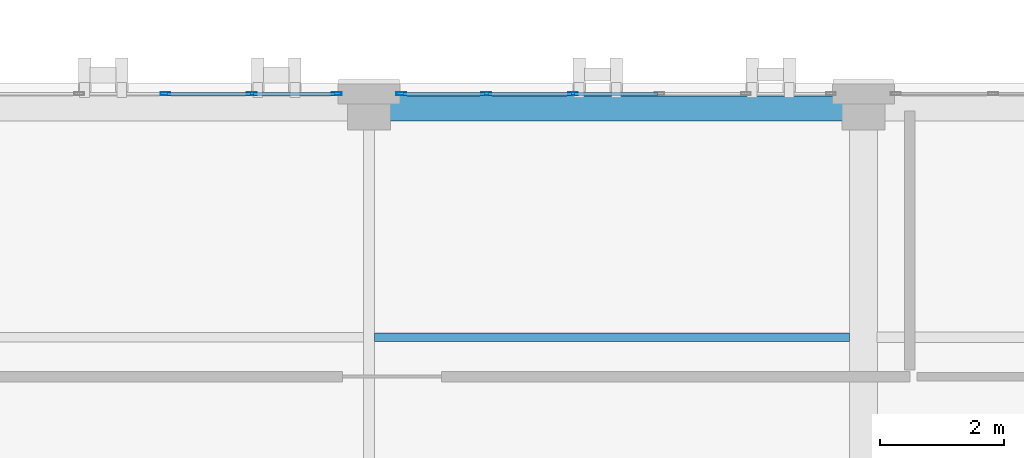
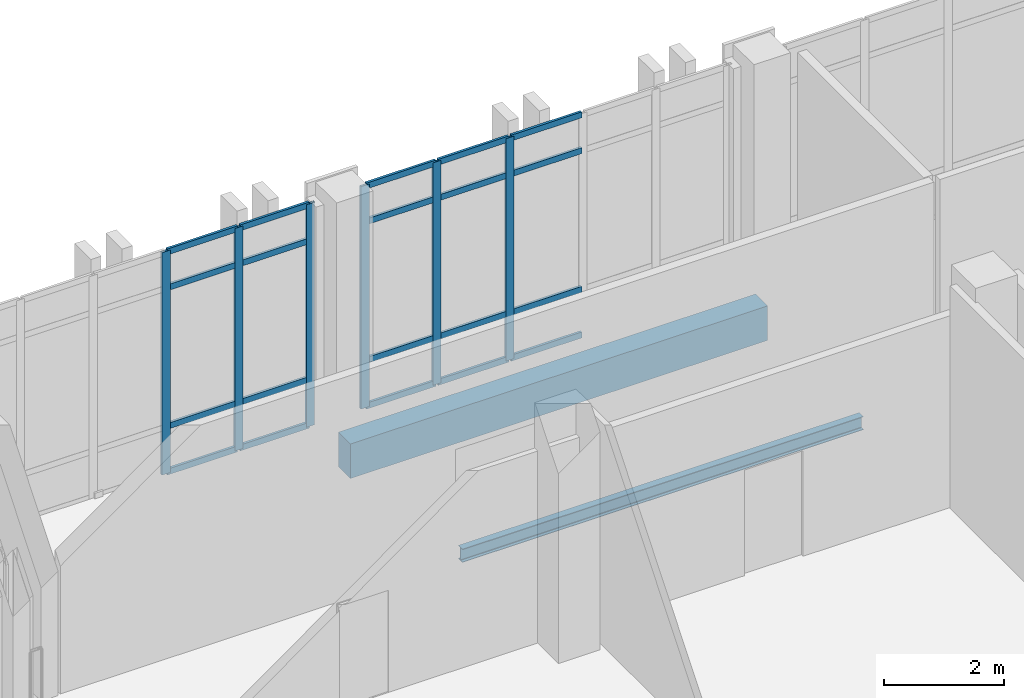
# One storey, part 51 of 189: 26 members, 2 beams, 2 elements without a shape of their own.
"""IFC4 building model written with IfcOpenShell, lengths in metres."""

import ifcopenshell
import ifcopenshell.guid

model = None  # the IFC model being written
_history = None  # IfcOwnerHistory: only IFC2X3 demands one
_inside = {}  # id of a spatial element -> (the spatial element, [elements in it])
_under = {}  # id of a project, library or spatial element -> (it, [spatial elements below it])
_declared = {}  # id of a project -> (the project, [libraries it declares])
_typed = {}  # id of a type object -> (the type object, [elements of that type])
_made_of = {}  # id of a material, layer set ... -> (it, [elements and type objects made of it])


def new_model(schema):
    """Start an empty IFC model of exactly this schema.

    Asked for "IFC4X3", IfcOpenShell would pick the latest addendum, in which some entities
    have other attributes; the version numbers below select the first issue.
    IFC2X3 requires an IfcOwnerHistory on every rooted entity: one is made here for all.
    """
    global model, _history
    if schema == "IFC4X3":
        model = ifcopenshell.file(schema_version=(4, 3, 0, 0))
    else:
        model = ifcopenshell.file(schema=schema)
    _inside.clear()
    _under.clear()
    _declared.clear()
    _typed.clear()
    _made_of.clear()
    _history = None
    if model.schema == "IFC2X3":
        org = make("IfcOrganization", Name="unknown")
        user = make(
            "IfcPersonAndOrganization",
            ThePerson=make("IfcPerson", FamilyName="unknown"),
            TheOrganization=org,
        )
        app = make(
            "IfcApplication",
            ApplicationDeveloper=org,
            Version="unknown",
            ApplicationFullName="unknown",
            ApplicationIdentifier="unknown",
        )
        _history = make(
            "IfcOwnerHistory",
            OwningUser=user,
            OwningApplication=app,
            ChangeAction="ADDED",
            CreationDate=0,
        )
    return model


def make(cls, **values):
    """One entity of the class cls with the attributes given. An attribute that is None is left unset."""
    return model.create_entity(
        cls, **{name: value for name, value in values.items() if value is not None}
    )


def rooted(cls, **values):
    """An entity with a GlobalId (a new one), such as an element, a storey or a relation."""
    return make(cls, GlobalId=ifcopenshell.guid.new(), OwnerHistory=_history, **values)


def si_unit(unit_type, name, prefix=None):
    """IfcSIUnit, for example si_unit("LENGTHUNIT", "METRE", prefix="MILLI")."""
    return make("IfcSIUnit", UnitType=unit_type, Prefix=prefix, Name=name)


def assignment(units):
    """IfcUnitAssignment: the units of a project."""
    return None if units is None else make("IfcUnitAssignment", Units=units)


def point(xyz):
    """IfcCartesianPoint."""
    return None if xyz is None else make("IfcCartesianPoint", Coordinates=xyz)


def direction(xyz):
    """IfcDirection."""
    return None if xyz is None else make("IfcDirection", DirectionRatios=xyz)


def frame(location, z_axis=None, x_axis=None):
    """IfcAxis2Placement3D, a coordinate frame: its origin and axes. An axis left out is left unset."""
    return make(
        "IfcAxis2Placement3D",
        Location=point(location),
        Axis=direction(z_axis),
        RefDirection=direction(x_axis),
    )


def frame_2d(location, x_axis=None):
    """IfcAxis2Placement2D, a coordinate frame in the plane: its origin and x axis."""
    return make(
        "IfcAxis2Placement2D", Location=point(location), RefDirection=direction(x_axis)
    )


def origin():
    """The frame at (0, 0, 0) with its axes left unset."""
    return frame((0.0, 0.0, 0.0))


def origin_2d():
    """The frame at (0, 0) in the plane with its x axis left unset."""
    return frame_2d((0.0, 0.0))


def place(relative_to, where):
    """IfcLocalPlacement: puts the frame where relative to a parent placement (None: the world)."""
    return make(
        "IfcLocalPlacement", PlacementRelTo=relative_to, RelativePlacement=where
    )


def context(
    kind, dimensions, precision=None, world=None, true_north=None, identifier=None
):
    """IfcGeometricRepresentationContext, for example the 3D "Model" context."""
    return make(
        "IfcGeometricRepresentationContext",
        ContextIdentifier=identifier,
        ContextType=kind,
        CoordinateSpaceDimension=dimensions,
        Precision=precision,
        WorldCoordinateSystem=world,
        TrueNorth=true_north,
    )


def subcontext(parent, identifier, kind, view, scale=None):
    """IfcGeometricRepresentationSubContext, for example "Body" below "Model"."""
    return make(
        "IfcGeometricRepresentationSubContext",
        ContextIdentifier=identifier,
        ContextType=kind,
        ParentContext=parent,
        TargetScale=scale,
        TargetView=view,
    )


def project(units=None, contexts=None):
    """IfcProject with its units and contexts."""
    return rooted(
        "IfcProject",
        Name="project",
        RepresentationContexts=contexts,
        UnitsInContext=assignment(units),
    )


def spatial(cls, under=None, at=None, **own):
    """A site, building, storey or space (cls), placed at a placement, below another one or the project."""
    s = rooted(cls, ObjectPlacement=at, **own)
    if under is not None:
        _under.setdefault(under.id(), (under, []))[1].append(s)
    return s


def profile(cls, at=None, kind="AREA", **sizes):
    """A parametric profile (cls). Its sizes go by their IFC names, for example OverallWidth=200.0."""
    return make(cls, ProfileType=kind, Position=at, **sizes)


def rectangle(**sizes):
    """IfcRectangleProfileDef."""
    return profile("IfcRectangleProfileDef", **sizes)


def hollow_rectangle(**sizes):
    """IfcRectangleHollowProfileDef."""
    return profile("IfcRectangleHollowProfileDef", **sizes)


def i_section(**sizes):
    """IfcIShapeProfileDef."""
    return profile("IfcIShapeProfileDef", **sizes)


def extrude(swept, where, along, depth):
    """IfcExtrudedAreaSolid: the profile swept, set in the frame where, extruded along a direction by depth."""
    return make(
        "IfcExtrudedAreaSolid",
        SweptArea=swept,
        Position=where,
        ExtrudedDirection=direction(along),
        Depth=depth,
    )


def shape(context_of_items, identifier, shape_type, items):
    """IfcShapeRepresentation: the items that make up one representation, for example the "Body"."""
    return make(
        "IfcShapeRepresentation",
        ContextOfItems=context_of_items,
        RepresentationIdentifier=identifier,
        RepresentationType=shape_type,
        Items=items,
    )


def material(Name=None, Category=None):
    """IfcMaterial."""
    return make("IfcMaterial", Name=Name, Category=Category)


def layer(
    of_material, thickness, ventilated=None, Name=None, Category=None, Priority=None
):
    """IfcMaterialLayer: one layer of a wall or slab, of a material (None: an air gap)."""
    return make(
        "IfcMaterialLayer",
        Material=of_material,
        LayerThickness=thickness,
        IsVentilated=ventilated,
        Name=Name,
        Category=Category,
        Priority=Priority,
    )


def layer_set(layers, Name=None):
    """IfcMaterialLayerSet."""
    return make("IfcMaterialLayerSet", MaterialLayers=layers, LayerSetName=Name)


def material_profile(
    of_material, cross_section, Name=None, Category=None, Priority=None
):
    """IfcMaterialProfile: a cross section and its material."""
    return make(
        "IfcMaterialProfile",
        Name=Name,
        Material=of_material,
        Profile=cross_section,
        Priority=Priority,
        Category=Category,
    )


def profile_set(profiles, Name=None, composite=None):
    """IfcMaterialProfileSet."""
    return make(
        "IfcMaterialProfileSet",
        Name=Name,
        MaterialProfiles=profiles,
        CompositeProfile=composite,
    )


def made_of(thing, what):
    """Note that an element or type object is made of a material, layer set ...; save() writes the relation."""
    if what is not None:
        _made_of.setdefault(what.id(), (what, []))[1].append(thing)
    return thing


def type_object(cls, material=None, **own):
    """A type object (cls), such as IfcWallType, which elements share."""
    return made_of(rooted(cls, **own), material)


def element(
    cls,
    number,
    at=None,
    inside=None,
    cuts=None,
    type_object=None,
    material=None,
    context=None,
    identifier="Body",
    shape_type=None,
    held_by="IfcProductDefinitionShape",
    body=None,
    shapes=None,
    **own,
):
    """One element of the class cls, such as IfcWall. Its Tag is "e" and its number.

    at: its placement. inside: the storey or other place that contains it. cuts: it is an
    opening in that element (IfcRelVoidsElement). A single representation is given by context,
    identifier, shape_type and body (its items); several are given by shapes. held_by: the class
    of the entity that holds the representations. save() writes the other relations.
    """
    e = rooted(cls, Tag="e%d" % number, ObjectPlacement=at, **own)
    if body is not None:
        shapes = [shape(context, identifier, shape_type, body)]
    if shapes is not None:
        e.Representation = make(held_by, Representations=shapes)
    if inside is not None:
        _inside.setdefault(inside.id(), (inside, []))[1].append(e)
    if cuts is not None:
        rooted(
            "IfcRelVoidsElement", RelatingBuildingElement=cuts, RelatedOpeningElement=e
        )
    if type_object is not None:
        _typed.setdefault(type_object.id(), (type_object, []))[1].append(e)
    return made_of(e, material)


def aggregate(whole, parts):
    """IfcRelAggregates: a whole, such as a stair, and the parts it consists of."""
    return rooted("IfcRelAggregates", RelatingObject=whole, RelatedObjects=parts)


def save(model, path):
    """Write the relations noted so far, then the file.

    IfcRelAggregates (storeys below a building ...), IfcRelContainedInSpatialStructure (elements
    in a storey), IfcRelDefinesByType, IfcRelAssociatesMaterial and IfcRelDeclares: one each for
    every whole, place, type object, material and project.
    """
    for whole, parts in _under.values():
        aggregate(whole, parts)
    for where, things in _inside.values():
        rooted(
            "IfcRelContainedInSpatialStructure",
            RelatedElements=things,
            RelatingStructure=where,
        )
    for kind, things in _typed.values():
        rooted("IfcRelDefinesByType", RelatedObjects=things, RelatingType=kind)
    for what, things in _made_of.values():
        rooted("IfcRelAssociatesMaterial", RelatedObjects=things, RelatingMaterial=what)
    for by, libraries in _declared.values():
        rooted("IfcRelDeclares", RelatingContext=by, RelatedDefinitions=libraries)
    model.write(path)


model = new_model("IFC4")

# Units and contexts
model_context = context("Model", 3, precision=1e-05, world=origin(), true_north=direction((0.0, 1.0)))
body_context = subcontext(model_context, "Body", "Model", "MODEL_VIEW")
ifc_project = project(units=[si_unit("LENGTHUNIT", "METRE"), si_unit("AREAUNIT", "SQUARE_METRE"), si_unit("VOLUMEUNIT", "CUBIC_METRE"), si_unit("PLANEANGLEUNIT", "RADIAN"), si_unit("MASSUNIT", "GRAM", prefix="KILO")], contexts=[model_context])

# Site, building, storey
site_placement = place(None, origin())
site = spatial("IfcSite", under=ifc_project, at=site_placement, CompositionType="ELEMENT")
building_placement = place(site_placement, origin())
building = spatial("IfcBuilding", under=site, at=building_placement, Name="Qalavern Law Courts", CompositionType="ELEMENT")
storey_placement = place(building_placement, frame((0.0, 0.0, 5.39990234375)))
storey = spatial("IfcBuildingStorey", under=building, at=storey_placement, Name="L01", CompositionType="ELEMENT", Elevation=5.39990234375)

# Curtain wall, members
ifc_material_1 = material(Name="Anodised aluminium and insulated glazing", Category="aluminium")
ifc_layer = layer(ifc_material_1, 0.172119140625)
ifc_layer_set = layer_set([ifc_layer], Name="Anodised aluminium and insulated glazing")
curtain_wall_type = type_object("IfcCurtainWallType", Name="ENV-CW-COURT", PredefinedType="USERDEFINED", material=ifc_layer_set)
curtain_wall_1_placement = place(storey_placement, origin())
curtain_wall_1 = element("IfcCurtainWall", 1, at=curtain_wall_1_placement, inside=storey, type_object=curtain_wall_type, Name="V6 unitised curtain wall L01 north 7", ObjectType="UNITISED CURTAIN WALL", PredefinedType="USERDEFINED")
ifc_material_2 = material(Name="Anodised aluminium", Category="aluminium")
ifc_material_profile_1 = material_profile(ifc_material_2, hollow_rectangle(XDim=0.048095703125, YDim=0.159912109375, WallThickness=0.00390625, at=origin_2d()), Name="ALU MULLION 48x160")
ifc_profile_set_1 = profile_set([ifc_material_profile_1], Name="Anodised aluminium")
member_type_1 = type_object("IfcMemberType", Name="ENV-CWM-48x160", PredefinedType="MULLION", material=ifc_profile_set_1)
member_1_placement = place(storey_placement, frame((113.10009765625, 22.4375, 0.0), z_axis=(0.0, 0.0, 1.0), x_axis=(0.0, -1.0, 0.0)))
member_1 = element("IfcMember", 2, at=member_1_placement, type_object=member_type_1, Name="CW-03 mullion 4", PredefinedType="MULLION", context=body_context, shape_type="SweptSolid", body=[
    extrude(hollow_rectangle(XDim=0.048095703125, YDim=0.159912109375, WallThickness=0.00390625, at=origin_2d()), origin(), (0.0, 0.0, 1.0), 4.510009765625),
])
member_2_placement = place(storey_placement, frame((111.699951171875, 22.4375, 0.0), z_axis=(0.0, 0.0, 1.0), x_axis=(0.0, -1.0, 0.0)))
member_2 = element("IfcMember", 3, at=member_2_placement, type_object=member_type_1, Name="CW-03 mullion 5", PredefinedType="MULLION", context=body_context, shape_type="SweptSolid", body=[
    extrude(hollow_rectangle(XDim=0.048095703125, YDim=0.159912109375, WallThickness=0.00390625, at=origin_2d()), origin(), (0.0, 0.0, 1.0), 4.510009765625),
])
member_3_placement = place(storey_placement, frame((110.323974609375, 22.4375, 0.0), z_axis=(0.0, 0.0, 1.0), x_axis=(0.0, -1.0, 0.0)))
member_3 = element("IfcMember", 4, at=member_3_placement, type_object=member_type_1, Name="CW-03 mullion 6", PredefinedType="MULLION", context=body_context, shape_type="SweptSolid", body=[
    extrude(hollow_rectangle(XDim=0.048095703125, YDim=0.159912109375, WallThickness=0.00390625, at=origin_2d()), origin(), (0.0, 0.0, 1.0), 4.510009765625),
])

curtain_wall_2_placement = place(storey_placement, origin())
curtain_wall_2 = element("IfcCurtainWall", 5, at=curtain_wall_2_placement, inside=storey, type_object=curtain_wall_type, Name="V6 unitised curtain wall L01 north 8", ObjectType="UNITISED CURTAIN WALL", PredefinedType="USERDEFINED")
member_4_placement = place(storey_placement, frame((109.27587890625, 22.4375, 0.0), z_axis=(0.0, 0.0, 1.0), x_axis=(0.0, -1.0, 0.0)))
member_4 = element("IfcMember", 6, at=member_4_placement, type_object=member_type_1, Name="CW-03 mullion 1", PredefinedType="MULLION", context=body_context, shape_type="SweptSolid", body=[
    extrude(hollow_rectangle(XDim=0.048095703125, YDim=0.159912109375, WallThickness=0.00390625, at=origin_2d()), origin(), (0.0, 0.0, 1.0), 4.510009765625),
])
member_5_placement = place(storey_placement, frame((107.904052734375, 22.4375, 0.0), z_axis=(0.0, 0.0, 1.0), x_axis=(0.0, -1.0, 0.0)))
member_5 = element("IfcMember", 7, at=member_5_placement, type_object=member_type_1, Name="CW-03 mullion 2", PredefinedType="MULLION", context=body_context, shape_type="SweptSolid", body=[
    extrude(hollow_rectangle(XDim=0.048095703125, YDim=0.159912109375, WallThickness=0.00390625, at=origin_2d()), origin(), (0.0, 0.0, 1.0), 4.510009765625),
])
member_6_placement = place(storey_placement, frame((106.508056640625, 22.4375, 0.0), z_axis=(0.0, 0.0, 1.0), x_axis=(0.0, -1.0, 0.0)))
member_6 = element("IfcMember", 8, at=member_6_placement, type_object=member_type_1, Name="CW-03 mullion 3", PredefinedType="MULLION", context=body_context, shape_type="SweptSolid", body=[
    extrude(hollow_rectangle(XDim=0.048095703125, YDim=0.159912109375, WallThickness=0.00390625, at=origin_2d()), origin(), (0.0, 0.0, 1.0), 4.510009765625),
])

# Member
ifc_material_profile_2 = material_profile(ifc_material_2, hollow_rectangle(XDim=0.048095703125, YDim=0.1201171875, WallThickness=0.00390625, at=origin_2d()), Name="ALU TRANSOM 48x120")
ifc_profile_set_2 = profile_set([ifc_material_profile_2], Name="Anodised aluminium")
member_type_2 = type_object("IfcMemberType", Name="ENV-CWT-48x120", PredefinedType="USERDEFINED", material=ifc_profile_set_2)
member_7_placement = place(storey_placement, frame((114.47607421875, 22.4375, 0.024169921875), z_axis=(-1.0, 0.0, 0.0), x_axis=(0.0, -1.0, 0.0)))
member_7 = element("IfcMember", 9, at=member_7_placement, type_object=member_type_2, Name="CW-03 transom 3.1", ObjectType="TRANSOM", PredefinedType="USERDEFINED", context=body_context, shape_type="SweptSolid", body=[
    extrude(hollow_rectangle(XDim=0.048095703125, YDim=0.1201171875, WallThickness=0.00390625, at=origin_2d()), origin(), (0.0, 0.0, 1.0), 1.35205078125),
])

member_8_placement = place(storey_placement, frame((114.47607421875, 22.4375, 0.9501953125), z_axis=(-1.0, 0.0, 0.0), x_axis=(0.0, -1.0, 0.0)))
member_8 = element("IfcMember", 10, at=member_8_placement, type_object=member_type_2, Name="CW-03 transom 3.2", ObjectType="TRANSOM", PredefinedType="USERDEFINED", context=body_context, shape_type="SweptSolid", body=[
    extrude(hollow_rectangle(XDim=0.048095703125, YDim=0.1201171875, WallThickness=0.00390625, at=origin_2d()), origin(), (0.0, 0.0, 1.0), 1.35205078125),
])

member_9_placement = place(storey_placement, frame((114.47607421875, 22.4375, 3.760009765625), z_axis=(-1.0, 0.0, 0.0), x_axis=(0.0, -1.0, 0.0)))
member_9 = element("IfcMember", 11, at=member_9_placement, type_object=member_type_2, Name="CW-03 transom 3.3", ObjectType="TRANSOM", PredefinedType="USERDEFINED", context=body_context, shape_type="SweptSolid", body=[
    extrude(hollow_rectangle(XDim=0.048095703125, YDim=0.1201171875, WallThickness=0.00390625, at=origin_2d()), origin(), (0.0, 0.0, 1.0), 1.35205078125),
])

member_10_placement = place(storey_placement, frame((114.47607421875, 22.4375, 4.486083984375), z_axis=(-1.0, 0.0, 0.0), x_axis=(0.0, -1.0, 0.0)))
member_10 = element("IfcMember", 12, at=member_10_placement, type_object=member_type_2, Name="CW-03 transom 3.4", ObjectType="TRANSOM", PredefinedType="USERDEFINED", context=body_context, shape_type="SweptSolid", body=[
    extrude(hollow_rectangle(XDim=0.048095703125, YDim=0.1201171875, WallThickness=0.00390625, at=origin_2d()), origin(), (0.0, 0.0, 1.0), 1.35205078125),
])

member_11_placement = place(storey_placement, frame((113.075927734375, 22.4375, 0.024169921875), z_axis=(-1.0, 0.0, 0.0), x_axis=(0.0, -1.0, 0.0)))
member_11 = element("IfcMember", 13, at=member_11_placement, type_object=member_type_2, Name="CW-03 transom 4.1", ObjectType="TRANSOM", PredefinedType="USERDEFINED", context=body_context, shape_type="SweptSolid", body=[
    extrude(hollow_rectangle(XDim=0.048095703125, YDim=0.1201171875, WallThickness=0.00390625, at=origin_2d()), origin(), (0.0, 0.0, 1.0), 1.351806640625),
])

member_12_placement = place(storey_placement, frame((113.075927734375, 22.4375, 0.9501953125), z_axis=(-1.0, 0.0, 0.0), x_axis=(0.0, -1.0, 0.0)))
member_12 = element("IfcMember", 14, at=member_12_placement, type_object=member_type_2, Name="CW-03 transom 4.2", ObjectType="TRANSOM", PredefinedType="USERDEFINED", context=body_context, shape_type="SweptSolid", body=[
    extrude(hollow_rectangle(XDim=0.048095703125, YDim=0.1201171875, WallThickness=0.00390625, at=origin_2d()), origin(), (0.0, 0.0, 1.0), 1.351806640625),
])

member_13_placement = place(storey_placement, frame((113.075927734375, 22.4375, 3.760009765625), z_axis=(-1.0, 0.0, 0.0), x_axis=(0.0, -1.0, 0.0)))
member_13 = element("IfcMember", 15, at=member_13_placement, type_object=member_type_2, Name="CW-03 transom 4.3", ObjectType="TRANSOM", PredefinedType="USERDEFINED", context=body_context, shape_type="SweptSolid", body=[
    extrude(hollow_rectangle(XDim=0.048095703125, YDim=0.1201171875, WallThickness=0.00390625, at=origin_2d()), origin(), (0.0, 0.0, 1.0), 1.351806640625),
])

member_14_placement = place(storey_placement, frame((113.075927734375, 22.4375, 4.486083984375), z_axis=(-1.0, 0.0, 0.0), x_axis=(0.0, -1.0, 0.0)))
member_14 = element("IfcMember", 16, at=member_14_placement, type_object=member_type_2, Name="CW-03 transom 4.4", ObjectType="TRANSOM", PredefinedType="USERDEFINED", context=body_context, shape_type="SweptSolid", body=[
    extrude(hollow_rectangle(XDim=0.048095703125, YDim=0.1201171875, WallThickness=0.00390625, at=origin_2d()), origin(), (0.0, 0.0, 1.0), 1.351806640625),
])

member_15_placement = place(storey_placement, frame((111.676025390625, 22.4375, 0.024169921875), z_axis=(-1.0, 0.0, 0.0), x_axis=(0.0, -1.0, 0.0)))
member_15 = element("IfcMember", 17, at=member_15_placement, type_object=member_type_2, Name="CW-03 transom 5.1", ObjectType="TRANSOM", PredefinedType="USERDEFINED", context=body_context, shape_type="SweptSolid", body=[
    extrude(hollow_rectangle(XDim=0.048095703125, YDim=0.1201171875, WallThickness=0.00390625, at=origin_2d()), origin(), (0.0, 0.0, 1.0), 1.328125),
])

member_16_placement = place(storey_placement, frame((111.676025390625, 22.4375, 0.9501953125), z_axis=(-1.0, 0.0, 0.0), x_axis=(0.0, -1.0, 0.0)))
member_16 = element("IfcMember", 18, at=member_16_placement, type_object=member_type_2, Name="CW-03 transom 5.2", ObjectType="TRANSOM", PredefinedType="USERDEFINED", context=body_context, shape_type="SweptSolid", body=[
    extrude(hollow_rectangle(XDim=0.048095703125, YDim=0.1201171875, WallThickness=0.00390625, at=origin_2d()), origin(), (0.0, 0.0, 1.0), 1.328125),
])

member_17_placement = place(storey_placement, frame((111.676025390625, 22.4375, 3.760009765625), z_axis=(-1.0, 0.0, 0.0), x_axis=(0.0, -1.0, 0.0)))
member_17 = element("IfcMember", 19, at=member_17_placement, type_object=member_type_2, Name="CW-03 transom 5.3", ObjectType="TRANSOM", PredefinedType="USERDEFINED", context=body_context, shape_type="SweptSolid", body=[
    extrude(hollow_rectangle(XDim=0.048095703125, YDim=0.1201171875, WallThickness=0.00390625, at=origin_2d()), origin(), (0.0, 0.0, 1.0), 1.328125),
])

member_18_placement = place(storey_placement, frame((111.676025390625, 22.4375, 4.486083984375), z_axis=(-1.0, 0.0, 0.0), x_axis=(0.0, -1.0, 0.0)))
member_18 = element("IfcMember", 20, at=member_18_placement, type_object=member_type_2, Name="CW-03 transom 5.4", ObjectType="TRANSOM", PredefinedType="USERDEFINED", context=body_context, shape_type="SweptSolid", body=[
    extrude(hollow_rectangle(XDim=0.048095703125, YDim=0.1201171875, WallThickness=0.00390625, at=origin_2d()), origin(), (0.0, 0.0, 1.0), 1.328125),
])

aggregate(curtain_wall_1, [member_1, member_2, member_3, member_7, member_8, member_9, member_10, member_11, member_12, member_13, member_14, member_15, member_16, member_17, member_18])

member_19_placement = place(storey_placement, frame((109.251953125, 22.4375, 0.024169921875), z_axis=(-1.0, 0.0, 0.0), x_axis=(0.0, -1.0, 0.0)))
member_19 = element("IfcMember", 21, at=member_19_placement, type_object=member_type_2, Name="CW-03 transom 1.1", ObjectType="TRANSOM", PredefinedType="USERDEFINED", context=body_context, shape_type="SweptSolid", body=[
    extrude(hollow_rectangle(XDim=0.048095703125, YDim=0.1201171875, WallThickness=0.00390625, at=origin_2d()), origin(), (0.0, 0.0, 1.0), 1.323974609375),
])

member_20_placement = place(storey_placement, frame((109.251953125, 22.4375, 0.9501953125), z_axis=(-1.0, 0.0, 0.0), x_axis=(0.0, -1.0, 0.0)))
member_20 = element("IfcMember", 22, at=member_20_placement, type_object=member_type_2, Name="CW-03 transom 1.2", ObjectType="TRANSOM", PredefinedType="USERDEFINED", context=body_context, shape_type="SweptSolid", body=[
    extrude(hollow_rectangle(XDim=0.048095703125, YDim=0.1201171875, WallThickness=0.00390625, at=origin_2d()), origin(), (0.0, 0.0, 1.0), 1.323974609375),
])

member_21_placement = place(storey_placement, frame((109.251953125, 22.4375, 3.760009765625), z_axis=(-1.0, 0.0, 0.0), x_axis=(0.0, -1.0, 0.0)))
member_21 = element("IfcMember", 23, at=member_21_placement, type_object=member_type_2, Name="CW-03 transom 1.3", ObjectType="TRANSOM", PredefinedType="USERDEFINED", context=body_context, shape_type="SweptSolid", body=[
    extrude(hollow_rectangle(XDim=0.048095703125, YDim=0.1201171875, WallThickness=0.00390625, at=origin_2d()), origin(), (0.0, 0.0, 1.0), 1.323974609375),
])

member_22_placement = place(storey_placement, frame((109.251953125, 22.4375, 4.486083984375), z_axis=(-1.0, 0.0, 0.0), x_axis=(0.0, -1.0, 0.0)))
member_22 = element("IfcMember", 24, at=member_22_placement, type_object=member_type_2, Name="CW-03 transom 1.4", ObjectType="TRANSOM", PredefinedType="USERDEFINED", context=body_context, shape_type="SweptSolid", body=[
    extrude(hollow_rectangle(XDim=0.048095703125, YDim=0.1201171875, WallThickness=0.00390625, at=origin_2d()), origin(), (0.0, 0.0, 1.0), 1.323974609375),
])

member_23_placement = place(storey_placement, frame((107.8798828125, 22.4375, 0.024169921875), z_axis=(-1.0, 0.0, 0.0), x_axis=(0.0, -1.0, 0.0)))
member_23 = element("IfcMember", 25, at=member_23_placement, type_object=member_type_2, Name="CW-03 transom 2.1", ObjectType="TRANSOM", PredefinedType="USERDEFINED", context=body_context, shape_type="SweptSolid", body=[
    extrude(hollow_rectangle(XDim=0.048095703125, YDim=0.1201171875, WallThickness=0.00390625, at=origin_2d()), origin(), (0.0, 0.0, 1.0), 1.347900390625),
])

member_24_placement = place(storey_placement, frame((107.8798828125, 22.4375, 0.9501953125), z_axis=(-1.0, 0.0, 0.0), x_axis=(0.0, -1.0, 0.0)))
member_24 = element("IfcMember", 26, at=member_24_placement, type_object=member_type_2, Name="CW-03 transom 2.2", ObjectType="TRANSOM", PredefinedType="USERDEFINED", context=body_context, shape_type="SweptSolid", body=[
    extrude(hollow_rectangle(XDim=0.048095703125, YDim=0.1201171875, WallThickness=0.00390625, at=origin_2d()), origin(), (0.0, 0.0, 1.0), 1.347900390625),
])

member_25_placement = place(storey_placement, frame((107.8798828125, 22.4375, 3.760009765625), z_axis=(-1.0, 0.0, 0.0), x_axis=(0.0, -1.0, 0.0)))
member_25 = element("IfcMember", 27, at=member_25_placement, type_object=member_type_2, Name="CW-03 transom 2.3", ObjectType="TRANSOM", PredefinedType="USERDEFINED", context=body_context, shape_type="SweptSolid", body=[
    extrude(hollow_rectangle(XDim=0.048095703125, YDim=0.1201171875, WallThickness=0.00390625, at=origin_2d()), origin(), (0.0, 0.0, 1.0), 1.347900390625),
])

member_26_placement = place(storey_placement, frame((107.8798828125, 22.4375, 4.486083984375), z_axis=(-1.0, 0.0, 0.0), x_axis=(0.0, -1.0, 0.0)))
member_26 = element("IfcMember", 28, at=member_26_placement, type_object=member_type_2, Name="CW-03 transom 2.4", ObjectType="TRANSOM", PredefinedType="USERDEFINED", context=body_context, shape_type="SweptSolid", body=[
    extrude(hollow_rectangle(XDim=0.048095703125, YDim=0.1201171875, WallThickness=0.00390625, at=origin_2d()), origin(), (0.0, 0.0, 1.0), 1.347900390625),
])

aggregate(curtain_wall_2, [member_4, member_5, member_6, member_19, member_20, member_21, member_22, member_23, member_24, member_25, member_26])

# Beams
ifc_material_3 = material(Name="Steel S355", Category="steel")
ifc_material_profile_3 = material_profile(ifc_material_3, i_section(OverallWidth=0.135009765625, OverallDepth=0.27001953125, WebThickness=0.006591796875, FlangeThickness=0.01025390625, FilletRadius=0.014892578125, at=origin_2d()), Name="IPE 270")
ifc_profile_set_3 = profile_set([ifc_material_profile_3], Name="Steel S355")
beam_type_1 = type_object("IfcBeamType", Name="STR-JST-IPE270", PredefinedType="JOIST", material=ifc_profile_set_3)
beam_1_placement = place(storey_placement, frame((109.887939453125, 18.5, -0.434814453125), z_axis=(1.0, 0.0, 0.0), x_axis=(0.0, 1.0, 0.0)))
element("IfcBeam", 29, at=beam_1_placement, inside=storey, type_object=beam_type_1, Name="V6 secondary joist 2.3.1 L01", PredefinedType="JOIST", context=body_context, shape_type="SweptSolid", body=[
    extrude(i_section(OverallWidth=0.135009765625, OverallDepth=0.27001953125, WebThickness=0.006591796875, FlangeThickness=0.01025390625, FilletRadius=0.014892578125, at=origin_2d()), origin(), (0.0, 0.0, 1.0), 7.68896484375),
])
ifc_material_4 = material(Name="Concrete C40/50", Category="concrete")
ifc_material_profile_4 = material_profile(ifc_material_4, rectangle(XDim=0.39990234375, YDim=0.699951171875, at=origin_2d()), Name="RC 400x700")
ifc_profile_set_4 = profile_set([ifc_material_profile_4], Name="Concrete C40/50")
beam_type_2 = type_object("IfcBeamType", Name="STR-SP-RC400x700", PredefinedType="SPANDREL", material=ifc_profile_set_4)
beam_2_placement = place(storey_placement, frame((109.800048828125, 22.199951171875, -0.64990234375), z_axis=(1.0, 0.0, 0.0), x_axis=(0.0, 1.0, 0.0)))
element("IfcBeam", 30, at=beam_2_placement, inside=storey, type_object=beam_type_2, Name="V6 X-beam 4-2 L01", PredefinedType="SPANDREL", context=body_context, shape_type="SweptSolid", body=[
    extrude(rectangle(XDim=0.39990234375, YDim=0.699951171875, at=origin_2d()), origin(), (0.0, 0.0, 1.0), 8.0),
])

save(model, "model.ifc")
